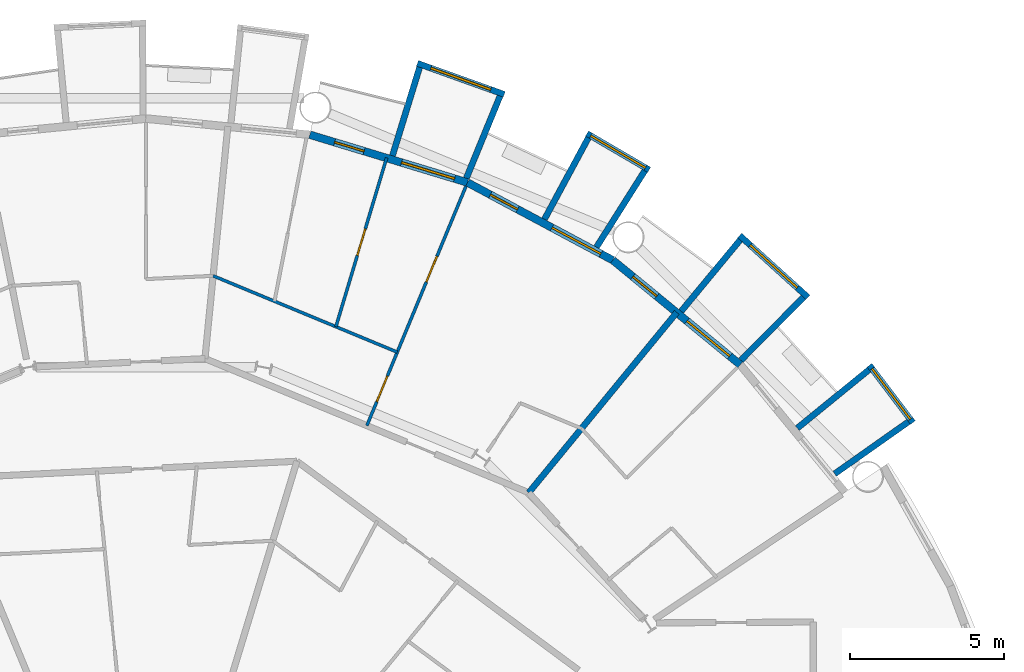
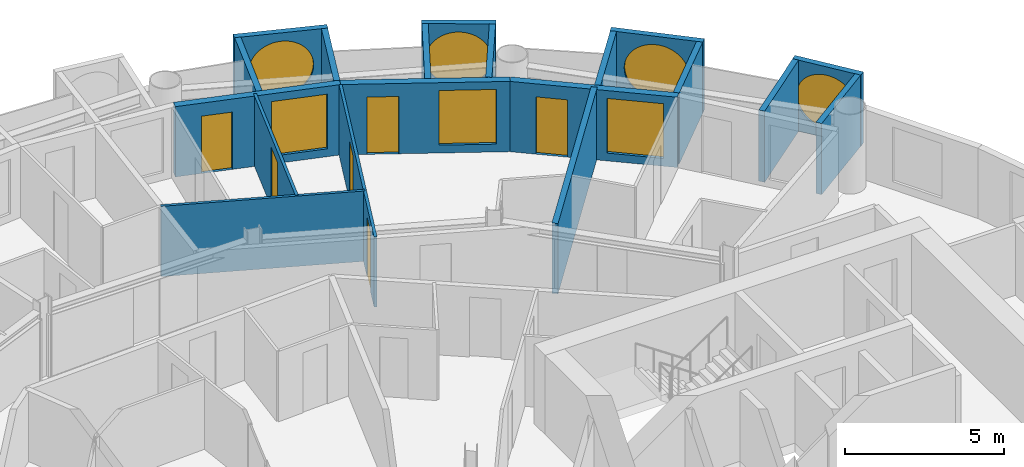
# One storey, part 22 of 26: 19 walls, 7 windows, 6 doors, 13 openings.
"""IFC4 building model written with IfcOpenShell, lengths in metres."""

import ifcopenshell
import ifcopenshell.guid

model = None  # the IFC model being written
_history = None  # IfcOwnerHistory: only IFC2X3 demands one
_inside = {}  # id of a spatial element -> (the spatial element, [elements in it])
_under = {}  # id of a project, library or spatial element -> (it, [spatial elements below it])
_declared = {}  # id of a project -> (the project, [libraries it declares])
_typed = {}  # id of a type object -> (the type object, [elements of that type])
_made_of = {}  # id of a material, layer set ... -> (it, [elements and type objects made of it])


def new_model(schema):
    """Start an empty IFC model of exactly this schema.

    Asked for "IFC4X3", IfcOpenShell would pick the latest addendum, in which some entities
    have other attributes; the version numbers below select the first issue.
    IFC2X3 requires an IfcOwnerHistory on every rooted entity: one is made here for all.
    """
    global model, _history
    if schema == "IFC4X3":
        model = ifcopenshell.file(schema_version=(4, 3, 0, 0))
    else:
        model = ifcopenshell.file(schema=schema)
    _inside.clear()
    _under.clear()
    _declared.clear()
    _typed.clear()
    _made_of.clear()
    _history = None
    if model.schema == "IFC2X3":
        org = make("IfcOrganization", Name="unknown")
        user = make(
            "IfcPersonAndOrganization",
            ThePerson=make("IfcPerson", FamilyName="unknown"),
            TheOrganization=org,
        )
        app = make(
            "IfcApplication",
            ApplicationDeveloper=org,
            Version="unknown",
            ApplicationFullName="unknown",
            ApplicationIdentifier="unknown",
        )
        _history = make(
            "IfcOwnerHistory",
            OwningUser=user,
            OwningApplication=app,
            ChangeAction="ADDED",
            CreationDate=0,
        )
    return model


def make(cls, **values):
    """One entity of the class cls with the attributes given. An attribute that is None is left unset."""
    return model.create_entity(
        cls, **{name: value for name, value in values.items() if value is not None}
    )


def rooted(cls, **values):
    """An entity with a GlobalId (a new one), such as an element, a storey or a relation."""
    return make(cls, GlobalId=ifcopenshell.guid.new(), OwnerHistory=_history, **values)


def si_unit(unit_type, name, prefix=None):
    """IfcSIUnit, for example si_unit("LENGTHUNIT", "METRE", prefix="MILLI")."""
    return make("IfcSIUnit", UnitType=unit_type, Prefix=prefix, Name=name)


def assignment(units):
    """IfcUnitAssignment: the units of a project."""
    return None if units is None else make("IfcUnitAssignment", Units=units)


def point(xyz):
    """IfcCartesianPoint."""
    return None if xyz is None else make("IfcCartesianPoint", Coordinates=xyz)


def direction(xyz):
    """IfcDirection."""
    return None if xyz is None else make("IfcDirection", DirectionRatios=xyz)


def frame(location, z_axis=None, x_axis=None):
    """IfcAxis2Placement3D, a coordinate frame: its origin and axes. An axis left out is left unset."""
    return make(
        "IfcAxis2Placement3D",
        Location=point(location),
        Axis=direction(z_axis),
        RefDirection=direction(x_axis),
    )


def frame_2d(location, x_axis=None):
    """IfcAxis2Placement2D, a coordinate frame in the plane: its origin and x axis."""
    return make(
        "IfcAxis2Placement2D", Location=point(location), RefDirection=direction(x_axis)
    )


def origin():
    """The frame at (0, 0, 0) with its axes left unset."""
    return frame((0.0, 0.0, 0.0))


def place(relative_to, where):
    """IfcLocalPlacement: puts the frame where relative to a parent placement (None: the world)."""
    return make(
        "IfcLocalPlacement", PlacementRelTo=relative_to, RelativePlacement=where
    )


def context(
    kind, dimensions, precision=None, world=None, true_north=None, identifier=None
):
    """IfcGeometricRepresentationContext, for example the 3D "Model" context."""
    return make(
        "IfcGeometricRepresentationContext",
        ContextIdentifier=identifier,
        ContextType=kind,
        CoordinateSpaceDimension=dimensions,
        Precision=precision,
        WorldCoordinateSystem=world,
        TrueNorth=true_north,
    )


def subcontext(parent, identifier, kind, view, scale=None):
    """IfcGeometricRepresentationSubContext, for example "Body" below "Model"."""
    return make(
        "IfcGeometricRepresentationSubContext",
        ContextIdentifier=identifier,
        ContextType=kind,
        ParentContext=parent,
        TargetScale=scale,
        TargetView=view,
    )


def project(units=None, contexts=None):
    """IfcProject with its units and contexts."""
    return rooted(
        "IfcProject",
        Name="project",
        RepresentationContexts=contexts,
        UnitsInContext=assignment(units),
    )


def spatial(cls, under=None, at=None, **own):
    """A site, building, storey or space (cls), placed at a placement, below another one or the project."""
    s = rooted(cls, ObjectPlacement=at, **own)
    if under is not None:
        _under.setdefault(under.id(), (under, []))[1].append(s)
    return s


def profile(cls, at=None, kind="AREA", **sizes):
    """A parametric profile (cls). Its sizes go by their IFC names, for example OverallWidth=200.0."""
    return make(cls, ProfileType=kind, Position=at, **sizes)


def rectangle(**sizes):
    """IfcRectangleProfileDef."""
    return profile("IfcRectangleProfileDef", **sizes)


def circle(**sizes):
    """IfcCircleProfileDef."""
    return profile("IfcCircleProfileDef", **sizes)


def extrude(swept, where, along, depth):
    """IfcExtrudedAreaSolid: the profile swept, set in the frame where, extruded along a direction by depth."""
    return make(
        "IfcExtrudedAreaSolid",
        SweptArea=swept,
        Position=where,
        ExtrudedDirection=direction(along),
        Depth=depth,
    )


def shape(context_of_items, identifier, shape_type, items):
    """IfcShapeRepresentation: the items that make up one representation, for example the "Body"."""
    return make(
        "IfcShapeRepresentation",
        ContextOfItems=context_of_items,
        RepresentationIdentifier=identifier,
        RepresentationType=shape_type,
        Items=items,
    )


def material(Name=None, Category=None):
    """IfcMaterial."""
    return make("IfcMaterial", Name=Name, Category=Category)


def layer(
    of_material, thickness, ventilated=None, Name=None, Category=None, Priority=None
):
    """IfcMaterialLayer: one layer of a wall or slab, of a material (None: an air gap)."""
    return make(
        "IfcMaterialLayer",
        Material=of_material,
        LayerThickness=thickness,
        IsVentilated=ventilated,
        Name=Name,
        Category=Category,
        Priority=Priority,
    )


def layer_set(layers, Name=None):
    """IfcMaterialLayerSet."""
    return make("IfcMaterialLayerSet", MaterialLayers=layers, LayerSetName=Name)


def made_of(thing, what):
    """Note that an element or type object is made of a material, layer set ...; save() writes the relation."""
    if what is not None:
        _made_of.setdefault(what.id(), (what, []))[1].append(thing)
    return thing


def type_object(cls, material=None, **own):
    """A type object (cls), such as IfcWallType, which elements share."""
    return made_of(rooted(cls, **own), material)


def element(
    cls,
    number,
    at=None,
    inside=None,
    cuts=None,
    type_object=None,
    material=None,
    context=None,
    identifier="Body",
    shape_type=None,
    held_by="IfcProductDefinitionShape",
    body=None,
    shapes=None,
    **own,
):
    """One element of the class cls, such as IfcWall. Its Tag is "e" and its number.

    at: its placement. inside: the storey or other place that contains it. cuts: it is an
    opening in that element (IfcRelVoidsElement). A single representation is given by context,
    identifier, shape_type and body (its items); several are given by shapes. held_by: the class
    of the entity that holds the representations. save() writes the other relations.
    """
    e = rooted(cls, Tag="e%d" % number, ObjectPlacement=at, **own)
    if body is not None:
        shapes = [shape(context, identifier, shape_type, body)]
    if shapes is not None:
        e.Representation = make(held_by, Representations=shapes)
    if inside is not None:
        _inside.setdefault(inside.id(), (inside, []))[1].append(e)
    if cuts is not None:
        rooted(
            "IfcRelVoidsElement", RelatingBuildingElement=cuts, RelatedOpeningElement=e
        )
    if type_object is not None:
        _typed.setdefault(type_object.id(), (type_object, []))[1].append(e)
    return made_of(e, material)


def fill(opening, filler):
    """IfcRelFillsElement: the door or window that sits in an opening."""
    return rooted(
        "IfcRelFillsElement",
        RelatingOpeningElement=opening,
        RelatedBuildingElement=filler,
    )


def aggregate(whole, parts):
    """IfcRelAggregates: a whole, such as a stair, and the parts it consists of."""
    return rooted("IfcRelAggregates", RelatingObject=whole, RelatedObjects=parts)


def save(model, path):
    """Write the relations noted so far, then the file.

    IfcRelAggregates (storeys below a building ...), IfcRelContainedInSpatialStructure (elements
    in a storey), IfcRelDefinesByType, IfcRelAssociatesMaterial and IfcRelDeclares: one each for
    every whole, place, type object, material and project.
    """
    for whole, parts in _under.values():
        aggregate(whole, parts)
    for where, things in _inside.values():
        rooted(
            "IfcRelContainedInSpatialStructure",
            RelatedElements=things,
            RelatingStructure=where,
        )
    for kind, things in _typed.values():
        rooted("IfcRelDefinesByType", RelatedObjects=things, RelatingType=kind)
    for what, things in _made_of.values():
        rooted("IfcRelAssociatesMaterial", RelatedObjects=things, RelatingMaterial=what)
    for by, libraries in _declared.values():
        rooted("IfcRelDeclares", RelatingContext=by, RelatedDefinitions=libraries)
    model.write(path)


model = new_model("IFC4")

# Units and contexts
model_context = context("Model", 3, precision=1e-05, world=origin(), true_north=direction((0.0, 1.0)))
body_context = subcontext(model_context, "Body", "Model", "MODEL_VIEW")
ifc_project = project(units=[si_unit("LENGTHUNIT", "METRE"), si_unit("AREAUNIT", "SQUARE_METRE"), si_unit("VOLUMEUNIT", "CUBIC_METRE"), si_unit("PLANEANGLEUNIT", "RADIAN"), si_unit("MASSUNIT", "GRAM", prefix="KILO")], contexts=[model_context])

# Site, building, storey
site_placement = place(None, origin())
site = spatial("IfcSite", under=ifc_project, at=site_placement, CompositionType="ELEMENT")
building_placement = place(site_placement, origin())
building = spatial("IfcBuilding", under=site, at=building_placement, Name="Maasbend Ring Residences", CompositionType="ELEMENT")
storey_placement = place(building_placement, frame((0.0, 0.0, 72.75)))
storey = spatial("IfcBuildingStorey", under=building, at=storey_placement, Name="L20", CompositionType="ELEMENT", Elevation=72.75)

# Wall, opening, window
ifc_material_1 = material(Name="Pale anodised aluminium panel", Category="aluminium")
ifc_layer_1 = layer(ifc_material_1, 0.199951171875)
ifc_layer_set_1 = layer_set([ifc_layer_1], Name="EW-BOX")
wall_type_1 = type_object("IfcWallType", Name="EW-BOX", PredefinedType="SOLIDWALL", material=ifc_layer_set_1)
wall_1_placement = place(storey_placement, frame((24.908935546875, 17.427001953125, -0.030029296875), z_axis=(0.0, 0.0, 1.0), x_axis=(-0.60418752353, 0.796842165306, 0.0)))
wall_1 = element("IfcWall", 1, at=wall_1_placement, inside=storey, type_object=wall_type_1, Name="Box front N01", PredefinedType="SOLIDWALL", context=body_context, shape_type="SweptSolid", body=[
    extrude(rectangle(XDim=2.3369140625, YDim=0.199951171875, at=frame_2d((1.16845703125, 0.0))), origin(), (0.0, 0.0, 1.0), 2.72998046875),
])
opening_1_placement = place(wall_1_placement, frame((0.128173828125, 0.0, 0.330078125)))
opening_1 = element("IfcOpeningElement", 2, at=opening_1_placement, cuts=wall_1, Name="Opening W-RD", PredefinedType="OPENING", context=body_context, shape_type="SweptSolid", body=[
    extrude(circle(Radius=1.0400390625, at=frame_2d((1.0400390625, 1.0400390625))), frame((0.0, 0.10986328125, 0.0), z_axis=(0.0, -1.0, 0.0), x_axis=(1.0, 0.0, 0.0)), (0.0, 0.0, 1.0), 0.219970703125),
])
ifc_material_2 = material(Name="Aluminium and clear glass", Category="aluminium")
window_type_1 = type_object("IfcWindowType", Name="W-RD", PartitioningType="SINGLE_PANEL", PredefinedType="WINDOW", material=ifc_material_2)
window_1_placement = place(opening_1_placement, origin())
window_1 = element("IfcWindow", 3, at=window_1_placement, inside=storey, type_object=window_type_1, Name="Round window N01", OverallHeight=2.080078125, OverallWidth=2.080078125, PartitioningType="SINGLE_PANEL", PredefinedType="WINDOW", context=body_context, shape_type="SweptSolid", body=[
    extrude(circle(Radius=1.0400390625, at=frame_2d((1.0400390625, 1.0400390625))), frame((0.0, 0.030029296875, 0.0), z_axis=(0.0, -1.0, 0.0), x_axis=(1.0, 0.0, 0.0)), (0.0, 0.0, 1.0), 0.06005859375),
])
fill(opening_1, window_1)

# Walls
wall_2_placement = place(storey_placement, frame((22.3701171875, 15.764892578125, -0.030029296875), z_axis=(0.0, 0.0, 1.0), x_axis=(0.817256123454, 0.576274612209, 0.0)))
element("IfcWall", 4, at=wall_2_placement, inside=storey, type_object=wall_type_1, Name="Box side wall N01 left", PredefinedType="SOLIDWALL", context=body_context, shape_type="SweptSolid", body=[
    extrude(rectangle(XDim=2.932861328125, YDim=0.199951171875, at=frame_2d((1.46630859375, 0.0))), origin(), (0.0, 0.0, 1.0), 2.72998046875),
])
wall_3_placement = place(storey_placement, frame((21.155029296875, 17.24609375, -0.030029296875), z_axis=(0.0, 0.0, 1.0), x_axis=(0.775179004516, 0.631741648902, 0.0)))
element("IfcWall", 5, at=wall_3_placement, inside=storey, type_object=wall_type_1, Name="Box side wall N01 right", PredefinedType="SOLIDWALL", context=body_context, shape_type="SweptSolid", body=[
    extrude(rectangle(XDim=3.005859375, YDim=0.199951171875, at=frame_2d((1.5029296875, 0.0))), origin(), (0.0, 0.0, 1.0), 2.72998046875),
])

# Wall, opening, window
wall_4_placement = place(storey_placement, frame((21.5, 21.492919921875, -0.030029296875), z_axis=(0.0, 0.0, 1.0), x_axis=(-0.740998365753, 0.671506829416, 0.0)))
wall_4 = element("IfcWall", 6, at=wall_4_placement, inside=storey, type_object=wall_type_1, Name="Box front N03", PredefinedType="SOLIDWALL", context=body_context, shape_type="SweptSolid", body=[
    extrude(rectangle(XDim=2.9931640625, YDim=0.199951171875, at=frame_2d((1.49658203125, 0.0))), origin(), (0.0, 0.0, 1.0), 2.72998046875),
])
opening_2_placement = place(wall_4_placement, frame((0.45654296875, 0.0, 0.330078125)))
opening_2 = element("IfcOpeningElement", 7, at=opening_2_placement, cuts=wall_4, Name="Opening W-RD", PredefinedType="OPENING", context=body_context, shape_type="SweptSolid", body=[
    extrude(circle(Radius=1.0400390625, at=frame_2d((1.0400390625, 1.0400390625))), frame((0.0, 0.10986328125, 0.0), z_axis=(0.0, -1.0, 0.0), x_axis=(1.0, 0.0, 0.0)), (0.0, 0.0, 1.0), 0.219970703125),
])
window_2_placement = place(opening_2_placement, origin())
window_2 = element("IfcWindow", 8, at=window_2_placement, inside=storey, type_object=window_type_1, Name="Round window N03", OverallHeight=2.080078125, OverallWidth=2.080078125, PartitioningType="SINGLE_PANEL", PredefinedType="WINDOW", context=body_context, shape_type="SweptSolid", body=[
    extrude(circle(Radius=1.0400390625, at=frame_2d((1.0400390625, 1.0400390625))), frame((0.0, 0.030029296875, 0.0), z_axis=(0.0, -1.0, 0.0), x_axis=(1.0, 0.0, 0.0)), (0.0, 0.0, 1.0), 0.06005859375),
])
fill(opening_2, window_2)

# Walls
wall_5_placement = place(storey_placement, frame((19.322998046875, 19.449951171875, -0.030029296875), z_axis=(0.0, 0.0, 1.0), x_axis=(0.704476739375, 0.709727076896, 0.0)))
element("IfcWall", 9, at=wall_5_placement, inside=storey, type_object=wall_type_1, Name="Box side wall N03 left", PredefinedType="SOLIDWALL", context=body_context, shape_type="SweptSolid", body=[
    extrude(rectangle(XDim=2.883056640625, YDim=0.199951171875, at=frame_2d((1.44140625, 0.0))), origin(), (0.0, 0.0, 1.0), 2.72998046875),
])
wall_6_placement = place(storey_placement, frame((17.384033203125, 21.041015625, -0.030029296875), z_axis=(0.0, 0.0, 1.0), x_axis=(0.63709551667, 0.770784861449, 0.0)))
element("IfcWall", 10, at=wall_6_placement, inside=storey, type_object=wall_type_1, Name="Box side wall N03 right", PredefinedType="SOLIDWALL", context=body_context, shape_type="SweptSolid", body=[
    extrude(rectangle(XDim=3.005859375, YDim=0.199951171875, at=frame_2d((1.5029296875, 0.0))), origin(), (0.0, 0.0, 1.0), 2.72998046875),
])

# Wall, opening, window
wall_7_placement = place(storey_placement, frame((16.343994140625, 25.633056640625, -0.030029296875), z_axis=(0.0, 0.0, 1.0), x_axis=(-0.863346521872, 0.504611517081, 0.0)))
wall_7 = element("IfcWall", 11, at=wall_7_placement, inside=storey, type_object=wall_type_1, Name="Box front N05", PredefinedType="SOLIDWALL", context=body_context, shape_type="SweptSolid", body=[
    extrude(rectangle(XDim=2.33642578125, YDim=0.199951171875, at=frame_2d((1.168212890625, 0.0))), origin(), (0.0, 0.0, 1.0), 2.72998046875),
])
opening_3_placement = place(wall_7_placement, frame((0.128173828125, 0.0, 0.330078125)))
opening_3 = element("IfcOpeningElement", 12, at=opening_3_placement, cuts=wall_7, Name="Opening W-RD", PredefinedType="OPENING", context=body_context, shape_type="SweptSolid", body=[
    extrude(circle(Radius=1.0400390625, at=frame_2d((1.0400390625, 1.0400390625))), frame((0.0, 0.10986328125, 0.0), z_axis=(0.0, -1.0, 0.0), x_axis=(1.0, 0.0, 0.0)), (0.0, 0.0, 1.0), 0.219970703125),
])
window_3_placement = place(opening_3_placement, origin())
window_3 = element("IfcWindow", 13, at=window_3_placement, inside=storey, type_object=window_type_1, Name="Round window N05", OverallHeight=2.080078125, OverallWidth=2.080078125, PartitioningType="SINGLE_PANEL", PredefinedType="WINDOW", context=body_context, shape_type="SweptSolid", body=[
    extrude(circle(Radius=1.0400390625, at=frame_2d((1.0400390625, 1.0400390625))), frame((0.0, 0.030029296875, 0.0), z_axis=(0.0, -1.0, 0.0), x_axis=(1.0, 0.0, 0.0)), (0.0, 0.0, 1.0), 0.06005859375),
])
fill(opening_3, window_3)

# Walls
wall_8_placement = place(storey_placement, frame((14.635009765625, 23.1259765625, -0.030029296875), z_axis=(0.0, 0.0, 1.0), x_axis=(0.534437802731, 0.845207805816, 0.0)))
element("IfcWall", 14, at=wall_8_placement, inside=storey, type_object=wall_type_1, Name="Box side wall N05 left", PredefinedType="SOLIDWALL", context=body_context, shape_type="SweptSolid", body=[
    extrude(rectangle(XDim=2.931884765625, YDim=0.199951171875, at=frame_2d((1.4658203125, 0.0))), origin(), (0.0, 0.0, 1.0), 2.72998046875),
])
wall_9_placement = place(storey_placement, frame((12.945068359375, 24.029052734375, -0.030029296875), z_axis=(0.0, 0.0, 1.0), x_axis=(0.474424310775, 0.88029629861, 0.0)))
element("IfcWall", 15, at=wall_9_placement, inside=storey, type_object=wall_type_1, Name="Box side wall N05 right", PredefinedType="SOLIDWALL", context=body_context, shape_type="SweptSolid", body=[
    extrude(rectangle(XDim=3.005859375, YDim=0.199951171875, at=frame_2d((1.5029296875, 0.0))), origin(), (0.0, 0.0, 1.0), 2.72998046875),
])

# Wall, opening, window
wall_10_placement = place(storey_placement, frame((11.637939453125, 28.083984375, -0.030029296875), z_axis=(0.0, 0.0, 1.0), x_axis=(-0.941461077774, 0.337121697664, 0.0)))
wall_10 = element("IfcWall", 16, at=wall_10_placement, inside=storey, type_object=wall_type_1, Name="Box front N07", PredefinedType="SOLIDWALL", context=body_context, shape_type="SweptSolid", body=[
    extrude(rectangle(XDim=2.9931640625, YDim=0.199951171875, at=frame_2d((1.49658203125, 0.0))), origin(), (0.0, 0.0, 1.0), 2.72998046875),
])
opening_4_placement = place(wall_10_placement, frame((0.45654296875, 0.0, 0.330078125)))
opening_4 = element("IfcOpeningElement", 17, at=opening_4_placement, cuts=wall_10, Name="Opening W-RD", PredefinedType="OPENING", context=body_context, shape_type="SweptSolid", body=[
    extrude(circle(Radius=1.0400390625, at=frame_2d((1.0400390625, 1.0400390625))), frame((0.0, 0.10986328125, 0.0), z_axis=(0.0, -1.0, 0.0), x_axis=(1.0, 0.0, 0.0)), (0.0, 0.0, 1.0), 0.219970703125),
])
window_4_placement = place(opening_4_placement, origin())
window_4 = element("IfcWindow", 18, at=window_4_placement, inside=storey, type_object=window_type_1, Name="Round window N07", OverallHeight=2.080078125, OverallWidth=2.080078125, PartitioningType="SINGLE_PANEL", PredefinedType="WINDOW", context=body_context, shape_type="SweptSolid", body=[
    extrude(circle(Radius=1.0400390625, at=frame_2d((1.0400390625, 1.0400390625))), frame((0.0, 0.030029296875, 0.0), z_axis=(0.0, -1.0, 0.0), x_axis=(1.0, 0.0, 0.0)), (0.0, 0.0, 1.0), 0.06005859375),
])
fill(opening_4, window_4)

# Walls
wall_11_placement = place(storey_placement, frame((10.408935546875, 25.364013671875, -0.030029296875), z_axis=(0.0, 0.0, 1.0), x_axis=(0.379509886562, 0.925187681501, 0.0)))
element("IfcWall", 19, at=wall_11_placement, inside=storey, type_object=wall_type_1, Name="Box side wall N07 left", PredefinedType="SOLIDWALL", context=body_context, shape_type="SweptSolid", body=[
    extrude(rectangle(XDim=2.882568359375, YDim=0.199951171875, at=frame_2d((1.44140625, 0.0))), origin(), (0.0, 0.0, 1.0), 2.72998046875),
])
wall_12_placement = place(storey_placement, frame((8.009033203125, 26.092041015625, -0.030029296875), z_axis=(0.0, 0.0, 1.0), x_axis=(0.293406695073, 0.955987715029, 0.0)))
element("IfcWall", 20, at=wall_12_placement, inside=storey, type_object=wall_type_1, Name="Box side wall N07 right", PredefinedType="SOLIDWALL", context=body_context, shape_type="SweptSolid", body=[
    extrude(rectangle(XDim=3.00634765625, YDim=0.199951171875, at=frame_2d((1.503173828125, 0.0))), origin(), (0.0, 0.0, 1.0), 2.72998046875),
])

# Wall, openings, door, window
ifc_material_3 = material(Name="Aluminium clad insulated panel", Category="aluminium")
ifc_layer_2 = layer(ifc_material_3, 0.25)
ifc_layer_set_2 = layer_set([ifc_layer_2], Name="EW-GL")
wall_type_2 = type_object("IfcWallType", Name="EW-GL", PredefinedType="SOLIDWALL", material=ifc_layer_set_2)
wall_13_placement = place(storey_placement, frame((19.303955078125, 19.303955078125, 0.0), z_axis=(0.0, 0.0, 1.0), x_axis=(-0.773019449054, 0.634382322723, 0.0)))
wall_13 = element("IfcWall", 21, at=wall_13_placement, inside=storey, type_object=wall_type_2, Name="External wall N02", PredefinedType="SOLIDWALL", context=body_context, shape_type="SweptSolid", body=[
    extrude(rectangle(XDim=5.351806640625, YDim=0.25, at=frame_2d((2.67578125, 0.0))), origin(), (0.0, 0.0, 1.0), 2.699951171875),
])
opening_5_placement = place(wall_13_placement, frame((0.441162109375, 0.0, 0.300048828125)))
opening_5 = element("IfcOpeningElement", 22, at=opening_5_placement, cuts=wall_13, Name="Opening W-BX", PredefinedType="OPENING", context=body_context, shape_type="SweptSolid", body=[
    extrude(rectangle(XDim=1.800048828125, YDim=2.10009765625, at=frame_2d((0.89990234375, 1.050048828125))), frame((0.0, 0.135009765625, 0.0), z_axis=(0.0, -1.0, 0.0), x_axis=(1.0, 0.0, 0.0)), (0.0, 0.0, 1.0), 0.27001953125),
])
opening_6_placement = place(wall_13_placement, frame((3.510498046875, 0.0, 0.0)))
opening_6 = element("IfcOpeningElement", 23, at=opening_6_placement, cuts=wall_13, Name="Opening D-LG", PredefinedType="OPENING", context=body_context, shape_type="SweptSolid", body=[
    extrude(rectangle(XDim=1.0, YDim=2.199951171875, at=frame_2d((0.5, 1.10009765625))), frame((0.0, 0.135009765625, 0.0), z_axis=(0.0, -1.0, 0.0), x_axis=(1.0, 0.0, 0.0)), (0.0, 0.0, 1.0), 0.27001953125),
])
ifc_material_4 = material(Name="Aluminium and clear glass", Category="aluminium")
door_type_1 = type_object("IfcDoorType", Name="D-LG", OperationType="SINGLE_SWING_LEFT", PredefinedType="DOOR", material=ifc_material_4)
door_1_placement = place(opening_6_placement, origin())
door_1 = element("IfcDoor", 24, at=door_1_placement, inside=storey, type_object=door_type_1, Name="Loggia door N04", OperationType="SINGLE_SWING_LEFT", OverallHeight=2.199951171875, OverallWidth=1.0, PredefinedType="DOOR", context=body_context, shape_type="SweptSolid", body=[
    extrude(rectangle(XDim=1.0, YDim=2.199951171875, at=frame_2d((0.5, 1.10009765625))), frame((0.0, 0.02490234375, 0.0), z_axis=(0.0, -1.0, 0.0), x_axis=(1.0, 0.0, 0.0)), (0.0, 0.0, 1.0), 0.050048828125),
])
fill(opening_6, door_1)
ifc_material_5 = material(Name="Aluminium and clear glass", Category="aluminium")
window_type_2 = type_object("IfcWindowType", Name="W-BX", PartitioningType="DOUBLE_PANEL_VERTICAL", PredefinedType="WINDOW", material=ifc_material_5)
window_5_placement = place(opening_5_placement, origin())
window_5 = element("IfcWindow", 25, at=window_5_placement, inside=storey, type_object=window_type_2, Name="Window N03 room to box", OverallHeight=2.10009765625, OverallWidth=1.800048828125, PartitioningType="SINGLE_PANEL", PredefinedType="WINDOW", context=body_context, shape_type="SweptSolid", body=[
    extrude(rectangle(XDim=1.800048828125, YDim=2.10009765625, at=frame_2d((0.89990234375, 1.050048828125))), frame((0.0, 0.030029296875, 0.0), z_axis=(0.0, -1.0, 0.0), x_axis=(1.0, 0.0, 0.0)), (0.0, 0.0, 1.0), 0.06005859375),
])
fill(opening_5, window_5)

wall_14_placement = place(storey_placement, frame((15.1669921875, 22.698974609375, 0.0), z_axis=(0.0, 0.0, 1.0), x_axis=(-0.881915646801, 0.471407246368, 0.0)))
wall_14 = element("IfcWall", 26, at=wall_14_placement, inside=storey, type_object=wall_type_2, Name="External wall N03", PredefinedType="SOLIDWALL", context=body_context, shape_type="SweptSolid", body=[
    extrude(rectangle(XDim=5.35205078125, YDim=0.25, at=frame_2d((2.676025390625, 0.0))), origin(), (0.0, 0.0, 1.0), 2.699951171875),
])
opening_7_placement = place(wall_14_placement, frame((0.441162109375, 0.0, 0.300048828125)))
opening_7 = element("IfcOpeningElement", 27, at=opening_7_placement, cuts=wall_14, Name="Opening W-BX", PredefinedType="OPENING", context=body_context, shape_type="SweptSolid", body=[
    extrude(rectangle(XDim=1.800048828125, YDim=2.10009765625, at=frame_2d((0.89990234375, 1.050048828125))), frame((0.0, 0.135009765625, 0.0), z_axis=(0.0, -1.0, 0.0), x_axis=(1.0, 0.0, 0.0)), (0.0, 0.0, 1.0), 0.27001953125),
])
opening_8_placement = place(wall_14_placement, frame((3.510498046875, 0.0, 0.0)))
opening_8 = element("IfcOpeningElement", 28, at=opening_8_placement, cuts=wall_14, Name="Opening D-LG", PredefinedType="OPENING", context=body_context, shape_type="SweptSolid", body=[
    extrude(rectangle(XDim=1.0, YDim=2.199951171875, at=frame_2d((0.5, 1.10009765625))), frame((0.0, 0.135009765625, 0.0), z_axis=(0.0, -1.0, 0.0), x_axis=(1.0, 0.0, 0.0)), (0.0, 0.0, 1.0), 0.27001953125),
])
door_2_placement = place(opening_8_placement, origin())
door_2 = element("IfcDoor", 29, at=door_2_placement, inside=storey, type_object=door_type_1, Name="Loggia door N06", OperationType="SINGLE_SWING_LEFT", OverallHeight=2.199951171875, OverallWidth=1.0, PredefinedType="DOOR", context=body_context, shape_type="SweptSolid", body=[
    extrude(rectangle(XDim=1.0, YDim=2.199951171875, at=frame_2d((0.5, 1.10009765625))), frame((0.0, 0.02490234375, 0.0), z_axis=(0.0, -1.0, 0.0), x_axis=(1.0, 0.0, 0.0)), (0.0, 0.0, 1.0), 0.050048828125),
])
fill(opening_8, door_2)
window_6_placement = place(opening_7_placement, origin())
window_6 = element("IfcWindow", 30, at=window_6_placement, inside=storey, type_object=window_type_2, Name="Window N05 room to box", OverallHeight=2.10009765625, OverallWidth=1.800048828125, PartitioningType="SINGLE_PANEL", PredefinedType="WINDOW", context=body_context, shape_type="SweptSolid", body=[
    extrude(rectangle(XDim=1.800048828125, YDim=2.10009765625, at=frame_2d((0.89990234375, 1.050048828125))), frame((0.0, 0.030029296875, 0.0), z_axis=(0.0, -1.0, 0.0), x_axis=(1.0, 0.0, 0.0)), (0.0, 0.0, 1.0), 0.06005859375),
])
fill(opening_7, window_6)

wall_15_placement = place(storey_placement, frame((10.447021484375, 25.221923828125, 0.0), z_axis=(0.0, 0.0, 1.0), x_axis=(-0.956965678721, 0.290201119486, 0.0)))
wall_15 = element("IfcWall", 31, at=wall_15_placement, inside=storey, type_object=wall_type_2, Name="External wall N04", PredefinedType="SOLIDWALL", context=body_context, shape_type="SweptSolid", body=[
    extrude(rectangle(XDim=5.351318359375, YDim=0.25, at=frame_2d((2.67578125, 0.0))), origin(), (0.0, 0.0, 1.0), 2.699951171875),
])
opening_9_placement = place(wall_15_placement, frame((0.441162109375, 0.0, 0.300048828125)))
opening_9 = element("IfcOpeningElement", 32, at=opening_9_placement, cuts=wall_15, Name="Opening W-BX", PredefinedType="OPENING", context=body_context, shape_type="SweptSolid", body=[
    extrude(rectangle(XDim=1.800048828125, YDim=2.10009765625, at=frame_2d((0.89990234375, 1.050048828125))), frame((0.0, 0.135009765625, 0.0), z_axis=(0.0, -1.0, 0.0), x_axis=(1.0, 0.0, 0.0)), (0.0, 0.0, 1.0), 0.27001953125),
])
opening_10_placement = place(wall_15_placement, frame((3.510498046875, 0.0, 0.0)))
opening_10 = element("IfcOpeningElement", 33, at=opening_10_placement, cuts=wall_15, Name="Opening D-LG", PredefinedType="OPENING", context=body_context, shape_type="SweptSolid", body=[
    extrude(rectangle(XDim=1.0, YDim=2.199951171875, at=frame_2d((0.5, 1.10009765625))), frame((0.0, 0.135009765625, 0.0), z_axis=(0.0, -1.0, 0.0), x_axis=(1.0, 0.0, 0.0)), (0.0, 0.0, 1.0), 0.27001953125),
])
door_3_placement = place(opening_10_placement, origin())
door_3 = element("IfcDoor", 34, at=door_3_placement, inside=storey, type_object=door_type_1, Name="Loggia door N08", OperationType="SINGLE_SWING_LEFT", OverallHeight=2.199951171875, OverallWidth=1.0, PredefinedType="DOOR", context=body_context, shape_type="SweptSolid", body=[
    extrude(rectangle(XDim=1.0, YDim=2.199951171875, at=frame_2d((0.5, 1.10009765625))), frame((0.0, 0.02490234375, 0.0), z_axis=(0.0, -1.0, 0.0), x_axis=(1.0, 0.0, 0.0)), (0.0, 0.0, 1.0), 0.050048828125),
])
fill(opening_10, door_3)
window_7_placement = place(opening_9_placement, origin())
window_7 = element("IfcWindow", 35, at=window_7_placement, inside=storey, type_object=window_type_2, Name="Window N07 room to box", OverallHeight=2.10009765625, OverallWidth=1.800048828125, PartitioningType="SINGLE_PANEL", PredefinedType="WINDOW", context=body_context, shape_type="SweptSolid", body=[
    extrude(rectangle(XDim=1.800048828125, YDim=2.10009765625, at=frame_2d((0.89990234375, 1.050048828125))), frame((0.0, 0.030029296875, 0.0), z_axis=(0.0, -1.0, 0.0), x_axis=(1.0, 0.0, 0.0)), (0.0, 0.0, 1.0), 0.06005859375),
])
fill(opening_9, window_7)

# Wall, openings, doors
ifc_material_6 = material(Name="Gypsum board on steel studs", Category="steel")
ifc_layer_3 = layer(ifc_material_6, 0.10009765625)
ifc_layer_set_3 = layer_set([ifc_layer_3], Name="PARTITION 100 GYPSUM")
wall_type_3 = type_object("IfcWallType", Name="PARTITION 100 GYPSUM", PredefinedType="PARTITIONING", material=ifc_layer_set_3)
wall_16_placement = place(storey_placement, frame((7.177978515625, 17.327880859375, 0.0), z_axis=(0.0, 0.0, 1.0), x_axis=(0.382458509789, 0.923972666419, 0.0)))
wall_16 = element("IfcWall", 36, at=wall_16_placement, inside=storey, type_object=wall_type_3, Name="U-L20-w028", PredefinedType="PARTITIONING", context=body_context, shape_type="SweptSolid", body=[
    extrude(rectangle(XDim=8.419189453125, YDim=0.10009765625, at=frame_2d((4.20947265625, 0.0))), origin(), (0.0, 0.0, 1.0), 2.699951171875),
])
opening_11_placement = place(wall_16_placement, frame((0.841064453125, 0.0, 0.0)))
opening_11 = element("IfcOpeningElement", 37, at=opening_11_placement, cuts=wall_16, Name="Opening D-2006", PredefinedType="OPENING", context=body_context, shape_type="SweptSolid", body=[
    extrude(rectangle(XDim=0.89990234375, YDim=2.300048828125, at=frame_2d((0.449951171875, 1.14990234375))), frame((0.0, 0.06005859375, 0.0), z_axis=(0.0, -1.0, 0.0), x_axis=(1.0, 0.0, 0.0)), (0.0, 0.0, 1.0), 0.1201171875),
])
opening_12_placement = place(wall_16_placement, frame((5.051025390625, 0.0, 0.0)))
opening_12 = element("IfcOpeningElement", 38, at=opening_12_placement, cuts=wall_16, Name="Opening D-2007", PredefinedType="OPENING", context=body_context, shape_type="SweptSolid", body=[
    extrude(rectangle(XDim=0.89990234375, YDim=2.300048828125, at=frame_2d((0.449951171875, 1.14990234375))), frame((0.0, 0.06005859375, 0.0), z_axis=(0.0, -1.0, 0.0), x_axis=(1.0, 0.0, 0.0)), (0.0, 0.0, 1.0), 0.1201171875),
])
ifc_material_7 = material(Name="Timber, painted", Category="wood")
door_type_2 = type_object("IfcDoorType", Name="INTERNAL DOOR 900 X 2300", OperationType="NOTDEFINED", PredefinedType="DOOR", material=ifc_material_7)
door_4_placement = place(opening_11_placement, origin())
door_4 = element("IfcDoor", 39, at=door_4_placement, inside=storey, type_object=door_type_2, Name="D-2006", OperationType="SINGLE_SWING_LEFT", OverallHeight=2.300048828125, OverallWidth=0.89990234375, PredefinedType="DOOR", context=body_context, shape_type="SweptSolid", body=[
    extrude(rectangle(XDim=0.89990234375, YDim=2.300048828125, at=frame_2d((0.449951171875, 1.14990234375))), frame((0.0, 0.02490234375, 0.0), z_axis=(0.0, -1.0, 0.0), x_axis=(1.0, 0.0, 0.0)), (0.0, 0.0, 1.0), 0.050048828125),
])
fill(opening_11, door_4)
door_5_placement = place(opening_12_placement, origin())
door_5 = element("IfcDoor", 40, at=door_5_placement, inside=storey, type_object=door_type_2, Name="D-2007", OperationType="SINGLE_SWING_RIGHT", OverallHeight=2.300048828125, OverallWidth=0.89990234375, PredefinedType="DOOR", context=body_context, shape_type="SweptSolid", body=[
    extrude(rectangle(XDim=0.89990234375, YDim=2.300048828125, at=frame_2d((0.449951171875, 1.14990234375))), frame((0.0, 0.02490234375, 0.0), z_axis=(0.0, -1.0, 0.0), x_axis=(1.0, 0.0, 0.0)), (0.0, 0.0, 1.0), 0.050048828125),
])
fill(opening_12, door_5)

# Wall, opening, door
wall_17_placement = place(storey_placement, frame((6.173095703125, 20.541015625, 0.0), z_axis=(0.0, 0.0, 1.0), x_axis=(0.287793773423, 0.957692405723, 0.0)))
wall_17 = element("IfcWall", 41, at=wall_17_placement, inside=storey, type_object=wall_type_3, Name="U-L20-w072", PredefinedType="PARTITIONING", context=body_context, shape_type="SweptSolid", body=[
    extrude(rectangle(XDim=5.72607421875, YDim=0.10009765625, at=frame_2d((2.863037109375, 0.0))), origin(), (0.0, 0.0, 1.0), 2.699951171875),
])
opening_13_placement = place(wall_17_placement, frame((2.4130859375, 0.0, 0.0)))
opening_13 = element("IfcOpeningElement", 42, at=opening_13_placement, cuts=wall_17, Name="Opening D-2008", PredefinedType="OPENING", context=body_context, shape_type="SweptSolid", body=[
    extrude(rectangle(XDim=0.89990234375, YDim=2.300048828125, at=frame_2d((0.449951171875, 1.14990234375))), frame((0.0, 0.06005859375, 0.0), z_axis=(0.0, -1.0, 0.0), x_axis=(1.0, 0.0, 0.0)), (0.0, 0.0, 1.0), 0.1201171875),
])
door_6_placement = place(opening_13_placement, origin())
door_6 = element("IfcDoor", 43, at=door_6_placement, inside=storey, type_object=door_type_2, Name="D-2008", OperationType="SINGLE_SWING_RIGHT", OverallHeight=2.300048828125, OverallWidth=0.89990234375, PredefinedType="DOOR", context=body_context, shape_type="SweptSolid", body=[
    extrude(rectangle(XDim=0.89990234375, YDim=2.300048828125, at=frame_2d((0.449951171875, 1.14990234375))), frame((0.0, 0.02490234375, 0.0), z_axis=(0.0, -1.0, 0.0), x_axis=(1.0, 0.0, 0.0)), (0.0, 0.0, 1.0), 0.050048828125),
])
fill(opening_13, door_6)

# Walls
wall_18_placement = place(storey_placement, frame((2.18505859375, 22.193115234375, 0.0), z_axis=(0.0, 0.0, 1.0), x_axis=(0.923844914631, -0.382766996632, 0.0)))
element("IfcWall", 44, at=wall_18_placement, inside=storey, type_object=wall_type_3, Name="U-L20-w103", PredefinedType="PARTITIONING", context=body_context, shape_type="SweptSolid", body=[
    extrude(rectangle(XDim=6.473876953125, YDim=0.10009765625, at=frame_2d((3.23681640625, 0.0))), origin(), (0.0, 0.0, 1.0), 2.699951171875),
])
ifc_material_8 = material(Name="Concrete C30/37", Category="concrete")
ifc_layer_4 = layer(ifc_material_8, 0.199951171875)
ifc_layer_set_4 = layer_set([ifc_layer_4], Name="Concrete C30/37")
wall_type_4 = type_object("IfcWallType", Name="PARTY WALL 200 CONCRETE", PredefinedType="PARTITIONING", material=ifc_layer_set_4)
wall_19_placement = place(storey_placement, frame((12.43505859375, 15.14990234375, 0.0), z_axis=(0.0, 0.0, 1.0), x_axis=(0.634458323308, 0.772957072537, 0.0)))
element("IfcWall", 45, at=wall_19_placement, inside=storey, type_object=wall_type_4, Name="U-L20-w078", PredefinedType="PARTITIONING", context=body_context, shape_type="SweptSolid", body=[
    extrude(rectangle(XDim=7.576416015625, YDim=0.199951171875, at=frame_2d((3.7880859375, 0.0))), origin(), (0.0, 0.0, 1.0), 2.699951171875),
])

save(model, "model.ifc")
